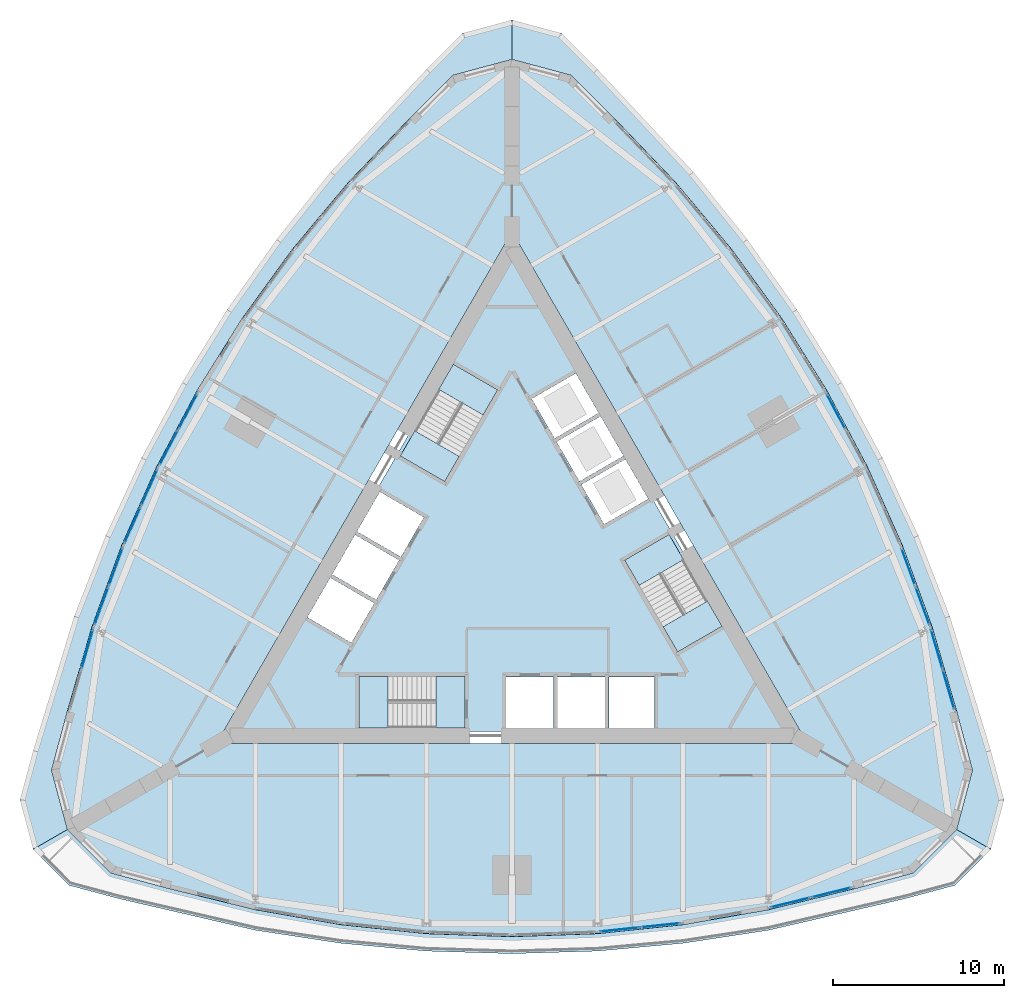
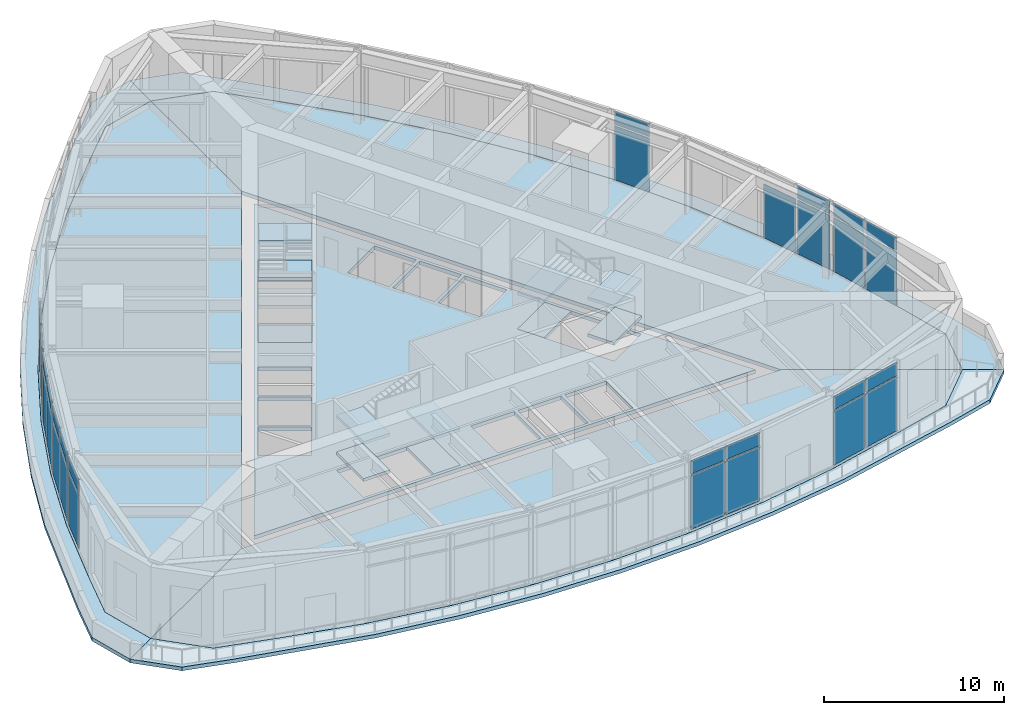
# One storey, part 7 of 14: 31 plates, 19 slabs, 12 elements without a shape of their own.
"""IFC4 building model written with IfcOpenShell, lengths in metres."""

from ifc_helpers import new_model, si_unit, direction, frame, origin, origin_2d, place, context, subcontext, project, spatial, polyline, rectangle, outline, extrude, material, layer, layer_set, type_object, element, aggregate, save


model = new_model("IFC4")

# Units and contexts
model_context = context("Model", 3, precision=1e-05, world=origin(), true_north=direction((0.0, 1.0)))
body_context = subcontext(model_context, "Body", "Model", "MODEL_VIEW")
ifc_project = project(units=[si_unit("LENGTHUNIT", "METRE"), si_unit("AREAUNIT", "SQUARE_METRE"), si_unit("VOLUMEUNIT", "CUBIC_METRE"), si_unit("PLANEANGLEUNIT", "RADIAN"), si_unit("MASSUNIT", "GRAM", prefix="KILO")], contexts=[model_context])

# Site, building, storey
site_placement = place(None, origin())
site = spatial("IfcSite", under=ifc_project, at=site_placement, CompositionType="ELEMENT")
building_placement = place(site_placement, origin())
building = spatial("IfcBuilding", under=site, at=building_placement, Name="Trikona Tower", CompositionType="ELEMENT")
storey_placement = place(building_placement, frame((0.0, 0.0, 109.699951171875)))
storey = spatial("IfcBuildingStorey", under=building, at=storey_placement, Name="L28", CompositionType="ELEMENT", Elevation=109.699951171875)

# Slabs
ifc_material_1 = material(Name="Concrete f'c 5000 psi lightweight on composite steel deck", Category="concrete")
ifc_layer_1 = layer(ifc_material_1, 0.25)
ifc_layer_set_1 = layer_set([ifc_layer_1], Name="Composite floor slab 250")
slab_type_1 = type_object("IfcSlabType", Name="Composite floor slab 250", PredefinedType="FLOOR", material=ifc_layer_set_1)
slab_1_placement = place(storey_placement, frame((0.0, 0.0, -0.25)))
element("IfcSlab", 1, at=slab_1_placement, inside=storey, type_object=slab_type_1, Name="Floor slab L28 core", PredefinedType="FLOOR", context=body_context, shape_type="SweptSolid", body=[
    extrude(outline(polyline([(-16.06689453125, -9.2763671875), (16.06689453125, -9.2763671875), (0.0, 18.552490234375), (-16.06689453125, -9.2763671875)]), holes=[polyline([(12.285400390625, -3.126220703125), (9.185302734375, 2.2431640625), (6.587158203125, 0.7431640625), (9.687255859375, -4.626220703125), (12.285400390625, -3.126220703125)]), polyline([(8.340087890625, -9.06640625), (8.340087890625, -6.086181640625), (5.659912109375, -6.086181640625), (5.659912109375, -9.06640625), (8.340087890625, -9.06640625)]), polyline([(5.390869140625, 2.835205078125), (7.9716796875, 4.3251953125), (6.631591796875, 6.646240234375), (4.05078125, 5.15625), (5.390869140625, 2.835205078125)]), polyline([(2.600830078125, 7.667724609375), (3.94091796875, 5.3466796875), (6.521484375, 6.8369140625), (5.181640625, 9.15771484375), (2.600830078125, 7.667724609375)]), polyline([(5.43994140625, -6.086181640625), (2.659912109375, -6.086181640625), (2.659912109375, -9.06640625), (5.43994140625, -9.06640625), (5.43994140625, -6.086181640625)]), polyline([(3.731689453125, 11.669189453125), (1.15087890625, 10.17919921875), (2.490966796875, 7.858154296875), (5.071533203125, 9.34814453125), (3.731689453125, 11.669189453125)]), polyline([(-0.340087890625, -6.086181640625), (-0.340087890625, -9.06640625), (2.43994140625, -9.06640625), (2.43994140625, -6.086181640625), (-0.340087890625, -6.086181640625)]), polyline([(-3.435302734375, 12.202392578125), (-6.535400390625, 6.8330078125), (-3.937255859375, 5.3330078125), (-0.837158203125, 10.702392578125), (-3.435302734375, 12.202392578125)]), polyline([(-8.949951171875, -9.076416015625), (-2.75, -9.076416015625), (-2.75, -6.076416015625), (-8.949951171875, -6.076416015625), (-8.949951171875, -9.076416015625)]), polyline([(-5.15087890625, 3.2509765625), (-7.731689453125, 4.740966796875), (-9.071533203125, 2.419921875), (-6.490966796875, 0.929931640625), (-5.15087890625, 3.2509765625)]), polyline([(-7.94091796875, -1.581298828125), (-6.600830078125, 0.739501953125), (-9.181640625, 2.2294921875), (-10.521484375, -0.09130859375), (-7.94091796875, -1.581298828125)]), polyline([(-11.9716796875, -2.602783203125), (-9.390869140625, -4.093017578125), (-8.05078125, -1.77197265625), (-10.631591796875, -0.281982421875), (-11.9716796875, -2.602783203125)])]), origin(), (0.0, 0.0, 1.0), 0.25),
])
slab_2_placement = place(storey_placement, frame((0.0, 0.0, -0.25)))
element("IfcSlab", 2, at=slab_2_placement, inside=storey, type_object=slab_type_1, Name="Floor slab L28 south", PredefinedType="FLOOR", context=body_context, shape_type="SweptSolid", body=[
    extrude(outline(polyline([(23.464111328125, -17.547119140625), (26.0, -15.010986328125), (17.279296875, -9.976318359375), (-17.279296875, -9.976318359375), (-26.0, -15.010986328125), (-23.464111328125, -17.547119140625), (-20.0, -18.47509765625), (-15.0, -19.7001953125), (-10.0, -20.5751953125), (-5.0, -21.10009765625), (0.0, -21.275146484375), (5.0, -21.10009765625), (10.0, -20.5751953125), (15.0, -19.7001953125), (20.0, -18.47509765625), (23.464111328125, -17.547119140625)])), origin(), (0.0, 0.0, 1.0), 0.25),
])
slab_3_placement = place(storey_placement, frame((0.0, 0.0, -0.25)))
element("IfcSlab", 3, at=slab_3_placement, inside=storey, type_object=slab_type_1, Name="Floor slab L28 north-east", PredefinedType="FLOOR", context=body_context, shape_type="SweptSolid", body=[
    extrude(outline(polyline([(3.464111328125, 29.093994140625), (0.0, 30.022216796875), (0.0, 19.95263671875), (17.279296875, -9.976318359375), (26.0, -15.010986328125), (26.92822265625, -11.547119140625), (26.0, -8.0830078125), (24.560791015625, -3.140380859375), (22.818603515625, 1.62744140625), (20.773193359375, 6.219970703125), (18.4248046875, 10.6376953125), (15.773193359375, 14.880126953125), (12.818603515625, 18.947998046875), (9.560791015625, 22.840576171875), (6.0, 26.55810546875), (3.464111328125, 29.093994140625)])), origin(), (0.0, 0.0, 1.0), 0.25),
])
slab_4_placement = place(storey_placement, frame((0.0, 0.0, -0.25)))
element("IfcSlab", 4, at=slab_4_placement, inside=storey, type_object=slab_type_1, Name="Floor slab L28 north-west", PredefinedType="FLOOR", context=body_context, shape_type="SweptSolid", body=[
    extrude(outline(polyline([(0.0, 19.95263671875), (0.0, 30.022216796875), (-3.464111328125, 29.093994140625), (-6.0, 26.55810546875), (-9.560791015625, 22.840576171875), (-12.818603515625, 18.947998046875), (-15.773193359375, 14.880126953125), (-18.4248046875, 10.6376953125), (-20.773193359375, 6.219970703125), (-22.818603515625, 1.62744140625), (-24.560791015625, -3.140380859375), (-26.0, -8.0830078125), (-26.92822265625, -11.547119140625), (-26.0, -15.010986328125), (-17.279296875, -9.976318359375), (0.0, 19.95263671875)])), origin(), (0.0, 0.0, 1.0), 0.25),
])

# Curtain wall, plates
ifc_material_2 = material(Name="Aluminium curtain wall system", Category="aluminium")
curtain_wall_type = type_object("IfcCurtainWallType", Name="Curtain wall SL", PredefinedType="NOTDEFINED", material=ifc_material_2)
curtain_wall_1_placement = place(storey_placement, origin())
curtain_wall_1 = element("IfcCurtainWall", 5, at=curtain_wall_1_placement, inside=storey, type_object=curtain_wall_type, Name="Curtain wall SL L28", PredefinedType="NOTDEFINED")
ifc_material_3 = material(Name="Clear insulating glass unit", Category="glass")
ifc_layer_2 = layer(ifc_material_3, 0.028076171875)
ifc_layer_set_2 = layer_set([ifc_layer_2], Name="Glass panel SL")
plate_type = type_object("IfcPlateType", Name="Glass panel SL", PredefinedType="CURTAIN_PANEL", material=ifc_layer_set_2)
plate_1_placement = place(storey_placement, frame((6.294189453125, -20.86376953125, 0.10009765625), z_axis=(0.0, 0.0, 1.0), x_axis=(0.994532105887, 0.104431270982, 0.0)))
plate_1 = element("IfcPlate", 6, at=plate_1_placement, type_object=plate_type, Name="CW-SL panel 1.1", PredefinedType="CURTAIN_PANEL", context=body_context, shape_type="SweptSolid", body=[
    extrude(rectangle(XDim=2.3037109375, YDim=0.028076171875, at=origin_2d()), origin(), (0.0, 0.0, 1.0), 3.64990234375),
])
plate_2_placement = place(storey_placement, frame((6.294189453125, -20.86376953125, 3.85009765625), z_axis=(0.0, 0.0, 1.0), x_axis=(0.994532105887, 0.104431270982, 0.0)))
plate_2 = element("IfcPlate", 7, at=plate_2_placement, type_object=plate_type, Name="CW-SL panel 1.2", PredefinedType="CURTAIN_PANEL", context=body_context, shape_type="SweptSolid", body=[
    extrude(rectangle(XDim=2.3037109375, YDim=0.028076171875, at=origin_2d()), origin(), (0.0, 0.0, 1.0), 0.885009765625),
])
plate_3_placement = place(storey_placement, frame((8.684814453125, -20.61279296875, 0.10009765625), z_axis=(0.0, 0.0, 1.0), x_axis=(0.994532105887, 0.104431270982, 0.0)))
plate_3 = element("IfcPlate", 8, at=plate_3_placement, type_object=plate_type, Name="CW-SL panel 2.1", PredefinedType="CURTAIN_PANEL", context=body_context, shape_type="SweptSolid", body=[
    extrude(rectangle(XDim=2.3037109375, YDim=0.028076171875, at=origin_2d()), origin(), (0.0, 0.0, 1.0), 3.64990234375),
])
plate_4_placement = place(storey_placement, frame((8.684814453125, -20.61279296875, 3.85009765625), z_axis=(0.0, 0.0, 1.0), x_axis=(0.994532105887, 0.104431270982, 0.0)))
plate_4 = element("IfcPlate", 9, at=plate_4_placement, type_object=plate_type, Name="CW-SL panel 2.2", PredefinedType="CURTAIN_PANEL", context=body_context, shape_type="SweptSolid", body=[
    extrude(rectangle(XDim=2.3037109375, YDim=0.028076171875, at=origin_2d()), origin(), (0.0, 0.0, 1.0), 0.885009765625),
])
aggregate(curtain_wall_1, [plate_1, plate_2, plate_3, plate_4])

curtain_wall_2_placement = place(storey_placement, origin())
curtain_wall_2 = element("IfcCurtainWall", 10, at=curtain_wall_2_placement, inside=storey, type_object=curtain_wall_type, Name="Curtain wall SL L28", PredefinedType="NOTDEFINED")
plate_5_placement = place(storey_placement, frame((16.279541015625, -19.28369140625, 0.10009765625), z_axis=(0.0, 0.0, 1.0), x_axis=(0.971275925694, 0.23795603831, 0.0)))
plate_5 = element("IfcPlate", 11, at=plate_5_placement, type_object=plate_type, Name="CW-SL panel 1.1", PredefinedType="CURTAIN_PANEL", context=body_context, shape_type="SweptSolid", body=[
    extrude(rectangle(XDim=2.364013671875, YDim=0.028076171875, at=origin_2d()), origin(), (0.0, 0.0, 1.0), 3.64990234375),
])
plate_6_placement = place(storey_placement, frame((16.279541015625, -19.28369140625, 3.85009765625), z_axis=(0.0, 0.0, 1.0), x_axis=(0.971275925694, 0.23795603831, 0.0)))
plate_6 = element("IfcPlate", 12, at=plate_6_placement, type_object=plate_type, Name="CW-SL panel 1.2", PredefinedType="CURTAIN_PANEL", context=body_context, shape_type="SweptSolid", body=[
    extrude(rectangle(XDim=2.364013671875, YDim=0.028076171875, at=origin_2d()), origin(), (0.0, 0.0, 1.0), 0.885009765625),
])
plate_7_placement = place(storey_placement, frame((18.6728515625, -18.697509765625, 0.10009765625), z_axis=(0.0, 0.0, 1.0), x_axis=(0.971275925694, 0.23795603831, 0.0)))
plate_7 = element("IfcPlate", 13, at=plate_7_placement, type_object=plate_type, Name="CW-SL panel 2.1", PredefinedType="CURTAIN_PANEL", context=body_context, shape_type="SweptSolid", body=[
    extrude(rectangle(XDim=2.364013671875, YDim=0.028076171875, at=origin_2d()), origin(), (0.0, 0.0, 1.0), 3.64990234375),
])
plate_8_placement = place(storey_placement, frame((18.6728515625, -18.697509765625, 3.85009765625), z_axis=(0.0, 0.0, 1.0), x_axis=(0.971275925694, 0.23795603831, 0.0)))
plate_8 = element("IfcPlate", 14, at=plate_8_placement, type_object=plate_type, Name="CW-SL panel 2.2", PredefinedType="CURTAIN_PANEL", context=body_context, shape_type="SweptSolid", body=[
    extrude(rectangle(XDim=2.364013671875, YDim=0.028076171875, at=origin_2d()), origin(), (0.0, 0.0, 1.0), 0.885009765625),
])
aggregate(curtain_wall_2, [plate_5, plate_6, plate_7, plate_8])

curtain_wall_3_placement = place(storey_placement, origin())
curtain_wall_3 = element("IfcCurtainWall", 15, at=curtain_wall_3_placement, inside=storey, type_object=curtain_wall_type, Name="Curtain wall SL L28", PredefinedType="NOTDEFINED")
plate_9_placement = place(storey_placement, frame((25.52880859375, -6.822265625, 0.10009765625), z_axis=(0.0, 0.0, 1.0), x_axis=(-0.2795485861, 0.960131547242, 0.0)))
plate_9 = element("IfcPlate", 16, at=plate_9_placement, type_object=plate_type, Name="CW-SL panel 1.1", PredefinedType="CURTAIN_PANEL", context=body_context, shape_type="SweptSolid", body=[
    extrude(rectangle(XDim=2.36376953125, YDim=0.028076171875, at=origin_2d()), origin(), (0.0, 0.0, 1.0), 3.64990234375),
])
plate_10_placement = place(storey_placement, frame((25.52880859375, -6.822265625, 3.85009765625), z_axis=(0.0, 0.0, 1.0), x_axis=(-0.2795485861, 0.960131547242, 0.0)))
plate_10 = element("IfcPlate", 17, at=plate_10_placement, type_object=plate_type, Name="CW-SL panel 1.2", PredefinedType="CURTAIN_PANEL", context=body_context, shape_type="SweptSolid", body=[
    extrude(rectangle(XDim=2.36376953125, YDim=0.028076171875, at=origin_2d()), origin(), (0.0, 0.0, 1.0), 0.885009765625),
])
plate_11_placement = place(storey_placement, frame((24.840087890625, -4.456787109375, 0.10009765625), z_axis=(0.0, 0.0, 1.0), x_axis=(-0.2795485861, 0.960131547242, 0.0)))
plate_11 = element("IfcPlate", 18, at=plate_11_placement, type_object=plate_type, Name="CW-SL panel 2.1", PredefinedType="CURTAIN_PANEL", context=body_context, shape_type="SweptSolid", body=[
    extrude(rectangle(XDim=2.36376953125, YDim=0.028076171875, at=origin_2d()), origin(), (0.0, 0.0, 1.0), 3.64990234375),
])
plate_12_placement = place(storey_placement, frame((24.840087890625, -4.456787109375, 3.85009765625), z_axis=(0.0, 0.0, 1.0), x_axis=(-0.2795485861, 0.960131547242, 0.0)))
plate_12 = element("IfcPlate", 19, at=plate_12_placement, type_object=plate_type, Name="CW-SL panel 2.2", PredefinedType="CURTAIN_PANEL", context=body_context, shape_type="SweptSolid", body=[
    extrude(rectangle(XDim=2.36376953125, YDim=0.028076171875, at=origin_2d()), origin(), (0.0, 0.0, 1.0), 0.885009765625),
])
aggregate(curtain_wall_3, [plate_9, plate_10, plate_11, plate_12])

curtain_wall_4_placement = place(storey_placement, origin())
curtain_wall_4 = element("IfcCurtainWall", 20, at=curtain_wall_4_placement, inside=storey, type_object=curtain_wall_type, Name="Curtain wall SL L28", PredefinedType="NOTDEFINED")
plate_13_placement = place(storey_placement, frame((24.012451171875, -1.93115234375, 0.10009765625), z_axis=(0.0, 0.0, 1.0), x_axis=(-0.343216915478, 0.939256167895, 0.0)))
plate_13 = element("IfcPlate", 21, at=plate_13_placement, type_object=plate_type, Name="CW-SL panel 1.1", PredefinedType="CURTAIN_PANEL", context=body_context, shape_type="SweptSolid", body=[
    extrude(rectangle(XDim=2.328125, YDim=0.028076171875, at=origin_2d()), origin(), (0.0, 0.0, 1.0), 3.64990234375),
])
plate_14_placement = place(storey_placement, frame((24.012451171875, -1.93115234375, 3.85009765625), z_axis=(0.0, 0.0, 1.0), x_axis=(-0.343216915478, 0.939256167895, 0.0)))
plate_14 = element("IfcPlate", 22, at=plate_14_placement, type_object=plate_type, Name="CW-SL panel 1.2", PredefinedType="CURTAIN_PANEL", context=body_context, shape_type="SweptSolid", body=[
    extrude(rectangle(XDim=2.328125, YDim=0.028076171875, at=origin_2d()), origin(), (0.0, 0.0, 1.0), 0.885009765625),
])
plate_15_placement = place(storey_placement, frame((23.17919921875, 0.349365234375, 0.10009765625), z_axis=(0.0, 0.0, 1.0), x_axis=(-0.343216915478, 0.939256167895, 0.0)))
plate_15 = element("IfcPlate", 23, at=plate_15_placement, type_object=plate_type, Name="CW-SL panel 2.1", PredefinedType="CURTAIN_PANEL", context=body_context, shape_type="SweptSolid", body=[
    extrude(rectangle(XDim=2.328125, YDim=0.028076171875, at=origin_2d()), origin(), (0.0, 0.0, 1.0), 3.64990234375),
])
aggregate(curtain_wall_4, [plate_13, plate_14, plate_15])

curtain_wall_5_placement = place(storey_placement, origin())
curtain_wall_5 = element("IfcCurtainWall", 24, at=curtain_wall_5_placement, inside=storey, type_object=curtain_wall_type, Name="Curtain wall SL L28", PredefinedType="NOTDEFINED")
plate_16_placement = place(storey_placement, frame((18.949462890625, 9.437744140625, 0.10009765625), z_axis=(0.0, 0.0, 1.0), x_axis=(-0.469380308937, 0.882996107343, 0.0)))
plate_16 = element("IfcPlate", 25, at=plate_16_placement, type_object=plate_type, Name="CW-SL panel 2.1", PredefinedType="CURTAIN_PANEL", context=body_context, shape_type="SweptSolid", body=[
    extrude(rectangle(XDim=2.29150390625, YDim=0.028076171875, at=origin_2d()), origin(), (0.0, 0.0, 1.0), 3.64990234375),
])
plate_17_placement = place(storey_placement, frame((18.949462890625, 9.437744140625, 3.85009765625), z_axis=(0.0, 0.0, 1.0), x_axis=(-0.469380308937, 0.882996107343, 0.0)))
plate_17 = element("IfcPlate", 26, at=plate_17_placement, type_object=plate_type, Name="CW-SL panel 2.2", PredefinedType="CURTAIN_PANEL", context=body_context, shape_type="SweptSolid", body=[
    extrude(rectangle(XDim=2.29150390625, YDim=0.028076171875, at=origin_2d()), origin(), (0.0, 0.0, 1.0), 0.885009765625),
])
aggregate(curtain_wall_5, [plate_16, plate_17])

curtain_wall_6_placement = place(storey_placement, origin())
curtain_wall_6 = element("IfcCurtainWall", 27, at=curtain_wall_6_placement, inside=storey, type_object=curtain_wall_type, Name="Curtain wall SL L28", PredefinedType="NOTDEFINED")
plate_18_placement = place(storey_placement, frame((-18.949462890625, 9.437744140625, 0.10009765625), z_axis=(0.0, 0.0, 1.0), x_axis=(-0.469380308937, -0.882996107343, 0.0)))
plate_18 = element("IfcPlate", 28, at=plate_18_placement, type_object=plate_type, Name="CW-SL panel 1.1", PredefinedType="CURTAIN_PANEL", context=body_context, shape_type="SweptSolid", body=[
    extrude(rectangle(XDim=2.29150390625, YDim=0.028076171875, at=origin_2d()), origin(), (0.0, 0.0, 1.0), 3.64990234375),
])
plate_19_placement = place(storey_placement, frame((-18.949462890625, 9.437744140625, 3.85009765625), z_axis=(0.0, 0.0, 1.0), x_axis=(-0.469380308937, -0.882996107343, 0.0)))
plate_19 = element("IfcPlate", 29, at=plate_19_placement, type_object=plate_type, Name="CW-SL panel 1.2", PredefinedType="CURTAIN_PANEL", context=body_context, shape_type="SweptSolid", body=[
    extrude(rectangle(XDim=2.29150390625, YDim=0.028076171875, at=origin_2d()), origin(), (0.0, 0.0, 1.0), 0.885009765625),
])
plate_20_placement = place(storey_placement, frame((-20.072021484375, 7.325927734375, 0.10009765625), z_axis=(0.0, 0.0, 1.0), x_axis=(-0.469380308937, -0.882996107343, 0.0)))
plate_20 = element("IfcPlate", 30, at=plate_20_placement, type_object=plate_type, Name="CW-SL panel 2.1", PredefinedType="CURTAIN_PANEL", context=body_context, shape_type="SweptSolid", body=[
    extrude(rectangle(XDim=2.29150390625, YDim=0.028076171875, at=origin_2d()), origin(), (0.0, 0.0, 1.0), 3.64990234375),
])
plate_21_placement = place(storey_placement, frame((-20.072021484375, 7.325927734375, 3.85009765625), z_axis=(0.0, 0.0, 1.0), x_axis=(-0.469380308937, -0.882996107343, 0.0)))
plate_21 = element("IfcPlate", 31, at=plate_21_placement, type_object=plate_type, Name="CW-SL panel 2.2", PredefinedType="CURTAIN_PANEL", context=body_context, shape_type="SweptSolid", body=[
    extrude(rectangle(XDim=2.29150390625, YDim=0.028076171875, at=origin_2d()), origin(), (0.0, 0.0, 1.0), 0.885009765625),
])
aggregate(curtain_wall_6, [plate_18, plate_19, plate_20, plate_21])

curtain_wall_7_placement = place(storey_placement, origin())
curtain_wall_7 = element("IfcCurtainWall", 32, at=curtain_wall_7_placement, inside=storey, type_object=curtain_wall_type, Name="Curtain wall SL L28", PredefinedType="NOTDEFINED")
plate_22_placement = place(storey_placement, frame((-21.215576171875, 4.98095703125, 0.10009765625), z_axis=(0.0, 0.0, 1.0), x_axis=(-0.406828440082, -0.913504581456, 0.0)))
plate_22 = element("IfcPlate", 33, at=plate_22_placement, type_object=plate_type, Name="CW-SL panel 1.1", PredefinedType="CURTAIN_PANEL", context=body_context, shape_type="SweptSolid", body=[
    extrude(rectangle(XDim=2.3037109375, YDim=0.028076171875, at=origin_2d()), origin(), (0.0, 0.0, 1.0), 3.64990234375),
])
plate_23_placement = place(storey_placement, frame((-21.215576171875, 4.98095703125, 3.85009765625), z_axis=(0.0, 0.0, 1.0), x_axis=(-0.406828440082, -0.913504581456, 0.0)))
plate_23 = element("IfcPlate", 34, at=plate_23_placement, type_object=plate_type, Name="CW-SL panel 1.2", PredefinedType="CURTAIN_PANEL", context=body_context, shape_type="SweptSolid", body=[
    extrude(rectangle(XDim=2.3037109375, YDim=0.028076171875, at=origin_2d()), origin(), (0.0, 0.0, 1.0), 0.885009765625),
])
plate_24_placement = place(storey_placement, frame((-22.193603515625, 2.78515625, 0.10009765625), z_axis=(0.0, 0.0, 1.0), x_axis=(-0.406828440082, -0.913504581456, 0.0)))
plate_24 = element("IfcPlate", 35, at=plate_24_placement, type_object=plate_type, Name="CW-SL panel 2.1", PredefinedType="CURTAIN_PANEL", context=body_context, shape_type="SweptSolid", body=[
    extrude(rectangle(XDim=2.3037109375, YDim=0.028076171875, at=origin_2d()), origin(), (0.0, 0.0, 1.0), 3.64990234375),
])
plate_25_placement = place(storey_placement, frame((-22.193603515625, 2.78515625, 3.85009765625), z_axis=(0.0, 0.0, 1.0), x_axis=(-0.406828440082, -0.913504581456, 0.0)))
plate_25 = element("IfcPlate", 36, at=plate_25_placement, type_object=plate_type, Name="CW-SL panel 2.2", PredefinedType="CURTAIN_PANEL", context=body_context, shape_type="SweptSolid", body=[
    extrude(rectangle(XDim=2.3037109375, YDim=0.028076171875, at=origin_2d()), origin(), (0.0, 0.0, 1.0), 0.885009765625),
])
aggregate(curtain_wall_7, [plate_22, plate_23, plate_24, plate_25])

curtain_wall_8_placement = place(storey_placement, origin())
curtain_wall_8 = element("IfcCurtainWall", 37, at=curtain_wall_8_placement, inside=storey, type_object=curtain_wall_type, Name="Curtain wall SL L28", PredefinedType="NOTDEFINED")
plate_26_placement = place(storey_placement, frame((-23.17919921875, 0.349365234375, 0.10009765625), z_axis=(0.0, 0.0, 1.0), x_axis=(-0.343216915478, -0.939256167895, 0.0)))
plate_26 = element("IfcPlate", 38, at=plate_26_placement, type_object=plate_type, Name="CW-SL panel 1.1", PredefinedType="CURTAIN_PANEL", context=body_context, shape_type="SweptSolid", body=[
    extrude(rectangle(XDim=2.328125, YDim=0.028076171875, at=origin_2d()), origin(), (0.0, 0.0, 1.0), 3.64990234375),
])
plate_27_placement = place(storey_placement, frame((-23.17919921875, 0.349365234375, 3.85009765625), z_axis=(0.0, 0.0, 1.0), x_axis=(-0.343216915478, -0.939256167895, 0.0)))
plate_27 = element("IfcPlate", 39, at=plate_27_placement, type_object=plate_type, Name="CW-SL panel 1.2", PredefinedType="CURTAIN_PANEL", context=body_context, shape_type="SweptSolid", body=[
    extrude(rectangle(XDim=2.328125, YDim=0.028076171875, at=origin_2d()), origin(), (0.0, 0.0, 1.0), 0.885009765625),
])
plate_28_placement = place(storey_placement, frame((-24.012451171875, -1.93115234375, 0.10009765625), z_axis=(0.0, 0.0, 1.0), x_axis=(-0.343216915478, -0.939256167895, 0.0)))
plate_28 = element("IfcPlate", 40, at=plate_28_placement, type_object=plate_type, Name="CW-SL panel 2.1", PredefinedType="CURTAIN_PANEL", context=body_context, shape_type="SweptSolid", body=[
    extrude(rectangle(XDim=2.328125, YDim=0.028076171875, at=origin_2d()), origin(), (0.0, 0.0, 1.0), 3.64990234375),
])
plate_29_placement = place(storey_placement, frame((-24.012451171875, -1.93115234375, 3.85009765625), z_axis=(0.0, 0.0, 1.0), x_axis=(-0.343216915478, -0.939256167895, 0.0)))
plate_29 = element("IfcPlate", 41, at=plate_29_placement, type_object=plate_type, Name="CW-SL panel 2.2", PredefinedType="CURTAIN_PANEL", context=body_context, shape_type="SweptSolid", body=[
    extrude(rectangle(XDim=2.328125, YDim=0.028076171875, at=origin_2d()), origin(), (0.0, 0.0, 1.0), 0.885009765625),
])
aggregate(curtain_wall_8, [plate_26, plate_27, plate_28, plate_29])

curtain_wall_9_placement = place(storey_placement, origin())
curtain_wall_9 = element("IfcCurtainWall", 42, at=curtain_wall_9_placement, inside=storey, type_object=curtain_wall_type, Name="Curtain wall SL L28", PredefinedType="NOTDEFINED")
plate_30_placement = place(storey_placement, frame((-24.840087890625, -4.456787109375, 0.10009765625), z_axis=(0.0, 0.0, 1.0), x_axis=(-0.2795485861, -0.960131547242, 0.0)))
plate_30 = element("IfcPlate", 43, at=plate_30_placement, type_object=plate_type, Name="CW-SL panel 1.1", PredefinedType="CURTAIN_PANEL", context=body_context, shape_type="SweptSolid", body=[
    extrude(rectangle(XDim=2.36376953125, YDim=0.028076171875, at=origin_2d()), origin(), (0.0, 0.0, 1.0), 3.64990234375),
])
plate_31_placement = place(storey_placement, frame((-24.840087890625, -4.456787109375, 3.85009765625), z_axis=(0.0, 0.0, 1.0), x_axis=(-0.2795485861, -0.960131547242, 0.0)))
plate_31 = element("IfcPlate", 44, at=plate_31_placement, type_object=plate_type, Name="CW-SL panel 1.2", PredefinedType="CURTAIN_PANEL", context=body_context, shape_type="SweptSolid", body=[
    extrude(rectangle(XDim=2.36376953125, YDim=0.028076171875, at=origin_2d()), origin(), (0.0, 0.0, 1.0), 0.885009765625),
])
aggregate(curtain_wall_9, [plate_30, plate_31])

# Stair, slabs
ifc_material_4 = material(Name="Concrete f'c 5000 psi", Category="concrete")
stair_type = type_object("IfcStairType", Name="Core stair", PredefinedType="HALF_TURN_STAIR", material=ifc_material_4)
stair_1_placement = place(storey_placement, origin())
stair_1 = element("IfcStair", 45, at=stair_1_placement, inside=storey, type_object=stair_type, Name="Stair A L28", PredefinedType="HALF_TURN_STAIR")
ifc_material_5 = material(Name="Concrete f'c 5000 psi", Category="concrete")
ifc_layer_3 = layer(ifc_material_5, 0.199951171875)
ifc_layer_set_3 = layer_set([ifc_layer_3], Name="Stair landing 200")
slab_type_2 = type_object("IfcSlabType", Name="Stair landing 200", PredefinedType="LANDING", material=ifc_layer_set_3)
slab_5_placement = place(storey_placement, frame((0.0, 0.0, -0.199951171875)))
slab_5 = element("IfcSlab", 46, at=slab_5_placement, type_object=slab_type_2, Name="ST-A landing 1", PredefinedType="LANDING", context=body_context, shape_type="SweptSolid", body=[
    extrude(outline(polyline([(-4.452880859375, -6.076416015625), (-2.75, -6.076416015625), (-2.75, -9.076416015625), (-4.452880859375, -9.076416015625), (-4.452880859375, -6.076416015625)])), origin(), (0.0, 0.0, 1.0), 0.199951171875),
])
slab_6_placement = place(storey_placement, frame((0.0, 0.0, 1.050048828125)))
slab_6 = element("IfcSlab", 47, at=slab_6_placement, type_object=slab_type_2, Name="ST-A landing 2", PredefinedType="LANDING", context=body_context, shape_type="SweptSolid", body=[
    extrude(outline(polyline([(-8.949951171875, -6.076416015625), (-7.2470703125, -6.076416015625), (-7.2470703125, -9.076416015625), (-8.949951171875, -9.076416015625), (-8.949951171875, -6.076416015625)])), origin(), (0.0, 0.0, 1.0), 0.199951171875),
])
slab_7_placement = place(storey_placement, frame((0.0, 0.0, 2.300048828125)))
slab_7 = element("IfcSlab", 48, at=slab_7_placement, type_object=slab_type_2, Name="ST-A landing 3", PredefinedType="LANDING", context=body_context, shape_type="SweptSolid", body=[
    extrude(outline(polyline([(-4.452880859375, -6.076416015625), (-2.75, -6.076416015625), (-2.75, -9.076416015625), (-4.452880859375, -9.076416015625), (-4.452880859375, -6.076416015625)])), origin(), (0.0, 0.0, 1.0), 0.199951171875),
])
slab_8_placement = place(storey_placement, frame((0.0, 0.0, 3.550048828125)))
slab_8 = element("IfcSlab", 49, at=slab_8_placement, type_object=slab_type_2, Name="ST-A landing 4", PredefinedType="LANDING", context=body_context, shape_type="SweptSolid", body=[
    extrude(outline(polyline([(-8.949951171875, -6.076416015625), (-7.2470703125, -6.076416015625), (-7.2470703125, -9.076416015625), (-8.949951171875, -9.076416015625), (-8.949951171875, -6.076416015625)])), origin(), (0.0, 0.0, 1.0), 0.199951171875),
])
aggregate(stair_1, [slab_5, slab_6, slab_7, slab_8])

stair_2_placement = place(storey_placement, origin())
stair_2 = element("IfcStair", 50, at=stair_2_placement, inside=storey, type_object=stair_type, Name="Stair B L28", PredefinedType="HALF_TURN_STAIR")
slab_9_placement = place(storey_placement, frame((0.0, 0.0, -0.199951171875)))
slab_9 = element("IfcSlab", 51, at=slab_9_placement, type_object=slab_type_2, Name="ST-B landing 1", PredefinedType="LANDING", context=body_context, shape_type="SweptSolid", body=[
    extrude(outline(polyline([(7.438720703125, -0.731689453125), (6.587158203125, 0.7431640625), (9.185302734375, 2.2431640625), (10.036865234375, 0.768310546875), (7.438720703125, -0.731689453125)])), origin(), (0.0, 0.0, 1.0), 0.199951171875),
])
slab_10_placement = place(storey_placement, frame((0.0, 0.0, 1.050048828125)))
slab_10 = element("IfcSlab", 52, at=slab_10_placement, type_object=slab_type_2, Name="ST-B landing 2", PredefinedType="LANDING", context=body_context, shape_type="SweptSolid", body=[
    extrude(outline(polyline([(9.687255859375, -4.626220703125), (8.835693359375, -3.1513671875), (11.433837890625, -1.6513671875), (12.285400390625, -3.126220703125), (9.687255859375, -4.626220703125)])), origin(), (0.0, 0.0, 1.0), 0.199951171875),
])
slab_11_placement = place(storey_placement, frame((0.0, 0.0, 2.300048828125)))
slab_11 = element("IfcSlab", 53, at=slab_11_placement, type_object=slab_type_2, Name="ST-B landing 3", PredefinedType="LANDING", context=body_context, shape_type="SweptSolid", body=[
    extrude(outline(polyline([(7.438720703125, -0.731689453125), (6.587158203125, 0.7431640625), (9.185302734375, 2.2431640625), (10.036865234375, 0.768310546875), (7.438720703125, -0.731689453125)])), origin(), (0.0, 0.0, 1.0), 0.199951171875),
])
slab_12_placement = place(storey_placement, frame((0.0, 0.0, 3.550048828125)))
slab_12 = element("IfcSlab", 54, at=slab_12_placement, type_object=slab_type_2, Name="ST-B landing 4", PredefinedType="LANDING", context=body_context, shape_type="SweptSolid", body=[
    extrude(outline(polyline([(9.687255859375, -4.626220703125), (8.835693359375, -3.1513671875), (11.433837890625, -1.6513671875), (12.285400390625, -3.126220703125), (9.687255859375, -4.626220703125)])), origin(), (0.0, 0.0, 1.0), 0.199951171875),
])
aggregate(stair_2, [slab_9, slab_10, slab_11, slab_12])

stair_3_placement = place(storey_placement, origin())
stair_3 = element("IfcStair", 55, at=stair_3_placement, inside=storey, type_object=stair_type, Name="Stair C L28", PredefinedType="HALF_TURN_STAIR")
slab_13_placement = place(storey_placement, frame((0.0, 0.0, -0.199951171875)))
slab_13 = element("IfcSlab", 56, at=slab_13_placement, type_object=slab_type_2, Name="ST-C landing 1", PredefinedType="LANDING", context=body_context, shape_type="SweptSolid", body=[
    extrude(outline(polyline([(-3.085693359375, 6.807861328125), (-3.937255859375, 5.3330078125), (-6.535400390625, 6.8330078125), (-5.683837890625, 8.307861328125), (-3.085693359375, 6.807861328125)])), origin(), (0.0, 0.0, 1.0), 0.199951171875),
])
slab_14_placement = place(storey_placement, frame((0.0, 0.0, 1.050048828125)))
slab_14 = element("IfcSlab", 57, at=slab_14_placement, type_object=slab_type_2, Name="ST-C landing 2", PredefinedType="LANDING", context=body_context, shape_type="SweptSolid", body=[
    extrude(outline(polyline([(-0.837158203125, 10.702392578125), (-1.688720703125, 9.2275390625), (-4.286865234375, 10.7275390625), (-3.435302734375, 12.202392578125), (-0.837158203125, 10.702392578125)])), origin(), (0.0, 0.0, 1.0), 0.199951171875),
])
slab_15_placement = place(storey_placement, frame((0.0, 0.0, 2.300048828125)))
slab_15 = element("IfcSlab", 58, at=slab_15_placement, type_object=slab_type_2, Name="ST-C landing 3", PredefinedType="LANDING", context=body_context, shape_type="SweptSolid", body=[
    extrude(outline(polyline([(-3.085693359375, 6.807861328125), (-3.937255859375, 5.3330078125), (-6.535400390625, 6.8330078125), (-5.683837890625, 8.307861328125), (-3.085693359375, 6.807861328125)])), origin(), (0.0, 0.0, 1.0), 0.199951171875),
])
slab_16_placement = place(storey_placement, frame((0.0, 0.0, 3.550048828125)))
slab_16 = element("IfcSlab", 59, at=slab_16_placement, type_object=slab_type_2, Name="ST-C landing 4", PredefinedType="LANDING", context=body_context, shape_type="SweptSolid", body=[
    extrude(outline(polyline([(-0.837158203125, 10.702392578125), (-1.688720703125, 9.2275390625), (-4.286865234375, 10.7275390625), (-3.435302734375, 12.202392578125), (-0.837158203125, 10.702392578125)])), origin(), (0.0, 0.0, 1.0), 0.199951171875),
])
aggregate(stair_3, [slab_13, slab_14, slab_15, slab_16])

# Slabs
ifc_material_6 = material(Name="Concrete f'c 5000 psi on composite steel deck", Category="concrete")
ifc_layer_4 = layer(ifc_material_6, 0.25)
ifc_layer_set_4 = layer_set([ifc_layer_4], Name="Terrace slab 250")
slab_type_3 = type_object("IfcSlabType", Name="Terrace slab 250", PredefinedType="ROOF", material=ifc_layer_set_4)
slab_17_placement = place(storey_placement, frame((0.0, 0.0, -0.25)))
element("IfcSlab", 60, at=slab_17_placement, inside=storey, type_object=slab_type_3, Name="Terrace L28 south part 1", PredefinedType="ROOF", context=body_context, shape_type="SweptSolid", body=[
    extrude(outline(polyline([(-28.0, -16.165771484375), (-25.88671875, -18.279052734375), (-23.0, -19.052490234375), (-15.0, -20.903076171875), (-10.0, -21.663818359375), (-5.0, -22.120361328125), (0.0, -22.272705078125), (5.0, -22.120361328125), (10.0, -21.663818359375), (15.0, -20.903076171875), (23.0, -19.052490234375), (25.88671875, -18.279052734375), (28.0, -16.165771484375), (26.0009765625, -15.01171875), (23.464599609375, -17.5478515625), (20.000244140625, -18.476318359375), (15.000244140625, -19.701171875), (10.000244140625, -20.576171875), (5.0, -21.101318359375), (0.0, -21.276123046875), (-5.0, -21.101318359375), (-10.0, -20.576171875), (-15.000244140625, -19.701171875), (-20.000244140625, -18.476318359375), (-23.464599609375, -17.5478515625), (-26.0009765625, -15.01171875), (-28.0, -16.165771484375)])), origin(), (0.0, 0.0, 1.0), 0.25),
])
slab_18_placement = place(storey_placement, frame((0.0, 0.0, -0.25)))
element("IfcSlab", 61, at=slab_18_placement, inside=storey, type_object=slab_type_3, Name="Green roof L28 north-east part 2", PredefinedType="ROOF", context=body_context, shape_type="SweptSolid", body=[
    extrude(outline(polyline([(2.88671875, 31.55810546875), (0.0, 32.33154296875), (0.0, 30.023193359375), (3.464599609375, 29.0947265625), (6.000732421875, 26.558837890625), (9.561767578125, 22.841064453125), (12.819580078125, 18.948486328125), (15.774169921875, 14.880859375), (18.42578125, 10.63818359375), (20.774169921875, 6.220458984375), (22.819580078125, 1.627685546875), (24.561767578125, -3.139892578125), (26.0009765625, -8.08251953125), (26.92919921875, -11.546630859375), (26.0009765625, -15.01171875), (28.0, -16.165771484375), (28.7734375, -13.279052734375), (28.0, -10.392333984375), (25.6025390625, -2.538818359375), (23.761474609375, 2.171630859375), (21.65673828125, 6.72998046875), (19.28857421875, 11.13623046875), (16.65673828125, 15.390380859375), (13.761474609375, 19.4921875), (10.6025390625, 23.44189453125), (5.0, 29.44482421875), (2.88671875, 31.55810546875)])), origin(), (0.0, 0.0, 1.0), 0.25),
])
slab_19_placement = place(storey_placement, frame((0.0, 0.0, -0.25)))
element("IfcSlab", 62, at=slab_19_placement, inside=storey, type_object=slab_type_3, Name="Green roof L28 north-west part 3", PredefinedType="ROOF", context=body_context, shape_type="SweptSolid", body=[
    extrude(outline(polyline([(-28.0, -16.165771484375), (-26.0009765625, -15.01171875), (-26.92919921875, -11.546875), (-26.0009765625, -8.08251953125), (-24.56201171875, -3.139892578125), (-22.819580078125, 1.627685546875), (-20.774169921875, 6.220458984375), (-18.42578125, 10.63818359375), (-15.774169921875, 14.880859375), (-12.819580078125, 18.948486328125), (-9.5615234375, 22.84130859375), (-6.000732421875, 26.558837890625), (-3.464599609375, 29.0947265625), (0.0, 30.023193359375), (0.0, 32.33154296875), (-2.88671875, 31.55810546875), (-5.0, 29.44482421875), (-10.6025390625, 23.44189453125), (-13.761474609375, 19.4921875), (-16.65673828125, 15.390380859375), (-19.28857421875, 11.13623046875), (-21.65673828125, 6.72998046875), (-23.761474609375, 2.171630859375), (-25.6025390625, -2.538818359375), (-28.0, -10.392333984375), (-28.7734375, -13.279052734375), (-28.0, -16.165771484375)])), origin(), (0.0, 0.0, 1.0), 0.25),
])

save(model, "model.ifc")
